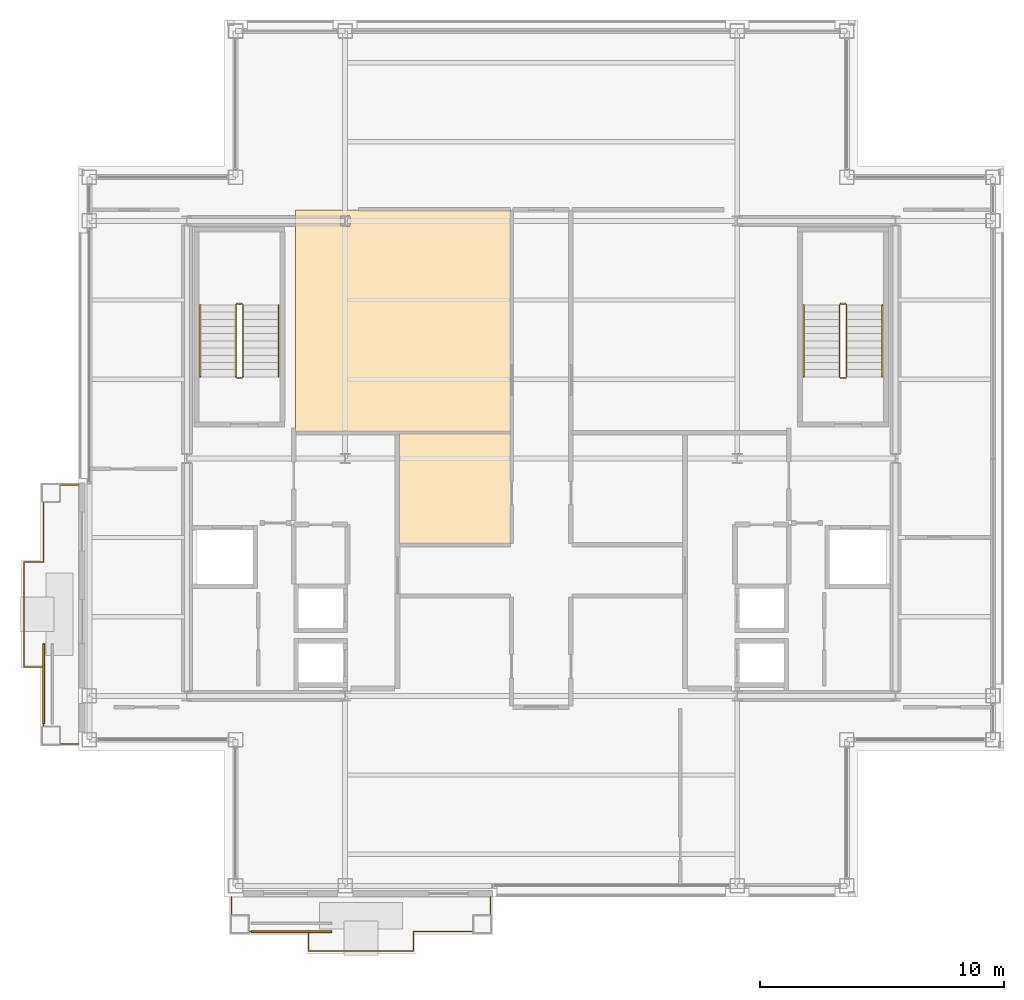
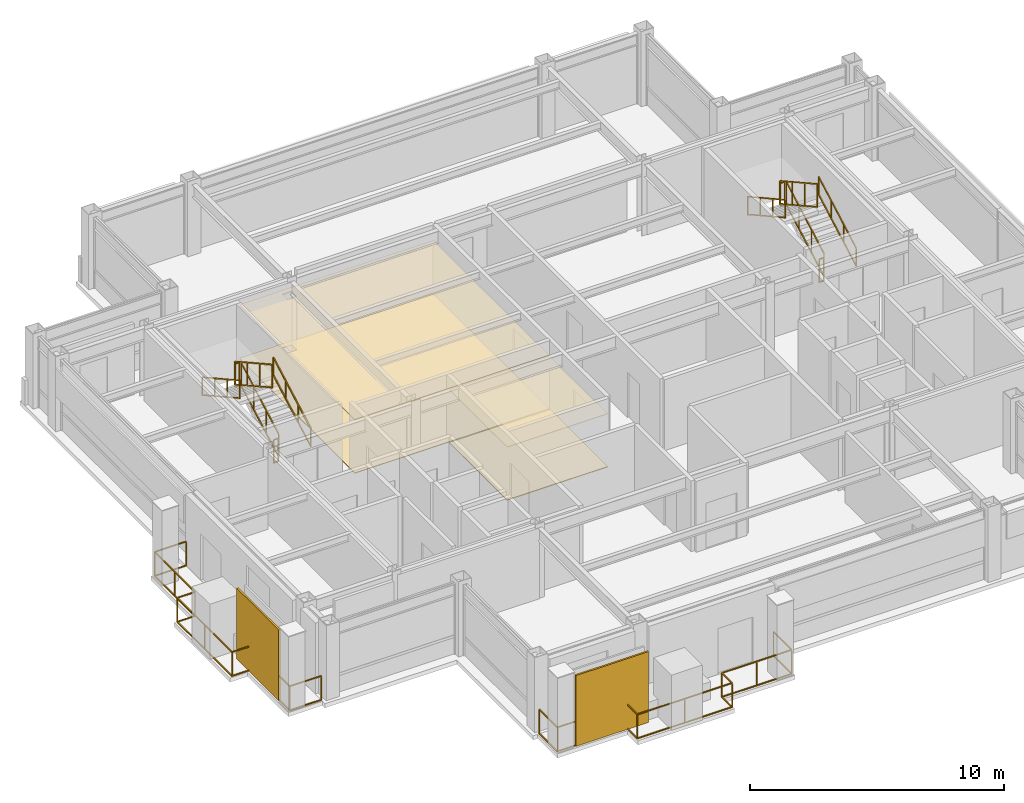
# One storey, part 26 of 27: 14 railings, 4 coverings, 2 shading devices.
"""IFC4 building model written with IfcOpenShell, lengths in metres."""

from ifc_helpers import new_model, si_unit, direction, frame, origin, origin_2d, place, context, subcontext, project, spatial, polyline, rectangle, outline, extrude, material, layer, layer_set, type_object, element, save


model = new_model("IFC4")

# Units and contexts
model_context = context("Model", 3, precision=1e-05, world=origin(), true_north=direction((0.0, 1.0)))
body_context = subcontext(model_context, "Body", "Model", "MODEL_VIEW")
ifc_project = project(units=[si_unit("LENGTHUNIT", "METRE"), si_unit("AREAUNIT", "SQUARE_METRE"), si_unit("VOLUMEUNIT", "CUBIC_METRE"), si_unit("PLANEANGLEUNIT", "RADIAN"), si_unit("MASSUNIT", "GRAM", prefix="KILO")], contexts=[model_context])

# Site, building, storey
site_placement = place(None, origin())
site = spatial("IfcSite", under=ifc_project, at=site_placement, CompositionType="ELEMENT")
building_placement = place(site_placement, origin())
building = spatial("IfcBuilding", under=site, at=building_placement, Name="Brelmoor Portico Tower", CompositionType="ELEMENT")
storey_placement = place(building_placement, frame((0.0, 0.0, 250.800048828125)))
storey = spatial("IfcBuildingStorey", under=building, at=storey_placement, Name="L66", CompositionType="ELEMENT", Elevation=250.800048828125)

# Coverings
ifc_material_1 = material(Name="Perforated Mineral-Fibre Acoustic Ceiling Tile", Category="gypsum")
ifc_layer_1 = layer(ifc_material_1, 0.02490234375)
ifc_layer_set_1 = layer_set([ifc_layer_1], Name="Perforated Mineral-Fibre Acoustic Ceiling Tile")
covering_type_1 = type_object("IfcCoveringType", Name="CV-CEIL-GYPSUM-25", PredefinedType="CEILING", material=ifc_layer_set_1)
covering_1_placement = place(storey_placement, frame((0.0, 0.0, 2.550048828125)))
element("IfcCovering", 1, at=covering_1_placement, inside=storey, type_object=covering_type_1, Name="L66 Acoustic Suspended Ceiling 02", PredefinedType="CEILING", context=body_context, shape_type="SweptSolid", body=[
    extrude(outline(polyline([(-5.820068359375, -3.510009765625), (-5.820068359375, 1.0400390625), (-1.239990234375, 1.0400390625), (-1.239990234375, -3.510009765625), (-5.820068359375, -3.510009765625)])), origin(), (0.0, 0.0, 1.0), 0.02490234375),
])
ifc_material_2 = material(Name="Slatted FSC Oak Acoustic Feature Ceiling", Category="timber")
ifc_layer_2 = layer(ifc_material_2, 0.052001953125)
ifc_layer_set_2 = layer_set([ifc_layer_2], Name="Slatted FSC Oak Acoustic Feature Ceiling")
covering_type_2 = type_object("IfcCoveringType", Name="CV-CEIL-TIMBER-52", PredefinedType="CEILING", material=ifc_layer_set_2)
covering_2_placement = place(storey_placement, frame((0.0, 0.0, 2.550048828125)))
element("IfcCovering", 2, at=covering_2_placement, inside=storey, type_object=covering_type_2, Name="L66 Acoustic Suspended Ceiling 01", PredefinedType="CEILING", context=body_context, shape_type="SweptSolid", body=[
    extrude(outline(polyline([(-10.080078125, 10.18994140625), (-8.5, 10.18994140625), (-8.5, 10.199951171875), (-7.60009765625, 10.199951171875), (-7.60009765625, 10.18994140625), (-1.239990234375, 10.18994140625), (-1.239990234375, 1.090087890625), (-10.080078125, 1.090087890625), (-10.080078125, 10.18994140625)]), holes=[polyline([(-7.85009765625, 9.550048828125), (-7.85009765625, 9.949951171875), (-8.25, 9.949951171875), (-8.25, 9.550048828125), (-7.85009765625, 9.550048828125)])]), origin(), (0.0, 0.0, 1.0), 0.052001953125),
])
ifc_material_3 = material(Name="Honed Pearl-Grey Granite Paver Finish", Category="masonry")
ifc_layer_3 = layer(ifc_material_3, 0.0380859375)
ifc_layer_set_3 = layer_set([ifc_layer_3], Name="Honed Pearl-Grey Granite Paver Finish")
covering_type_3 = type_object("IfcCoveringType", Name="CV-FLR-GRANITE-38", PredefinedType="FLOORING", material=ifc_layer_set_3)
covering_3_placement = place(storey_placement, origin())
element("IfcCovering", 3, at=covering_3_placement, inside=storey, type_object=covering_type_3, Name="L66 Architectural Floor Finish 02", PredefinedType="FLOORING", context=body_context, shape_type="SweptSolid", body=[
    extrude(outline(polyline([(-5.820068359375, -3.510009765625), (-5.820068359375, 1.0400390625), (-1.239990234375, 1.0400390625), (-1.239990234375, -3.510009765625), (-5.820068359375, -3.510009765625)])), origin(), (0.0, 0.0, 1.0), 0.037841796875),
])
ifc_material_4 = material(Name="Polished Pale-Aggregate Cementitious Terrazzo", Category="stone")
ifc_layer_4 = layer(ifc_material_4, 0.030029296875)
ifc_layer_set_4 = layer_set([ifc_layer_4], Name="Polished Pale-Aggregate Cementitious Terrazzo")
covering_type_4 = type_object("IfcCoveringType", Name="CV-FLR-TERRAZZO-30", PredefinedType="FLOORING", material=ifc_layer_set_4)
covering_4_placement = place(storey_placement, origin())
element("IfcCovering", 4, at=covering_4_placement, inside=storey, type_object=covering_type_4, Name="L66 Architectural Floor Finish 01", PredefinedType="FLOORING", context=body_context, shape_type="SweptSolid", body=[
    extrude(outline(polyline([(-10.080078125, 10.18994140625), (-8.5, 10.18994140625), (-8.5, 10.199951171875), (-7.60009765625, 10.199951171875), (-7.60009765625, 10.18994140625), (-1.239990234375, 10.18994140625), (-1.239990234375, 1.090087890625), (-10.080078125, 1.090087890625), (-10.080078125, 10.18994140625)]), holes=[polyline([(-7.85009765625, 9.550048828125), (-7.85009765625, 9.949951171875), (-8.25, 9.949951171875), (-8.25, 9.550048828125), (-7.85009765625, 9.550048828125)])]), origin(), (0.0, 0.0, 1.0), 0.030029296875),
])

# Railings
ifc_material_5 = material(Name="Perforated Pale Champagne Aluminium Fretwork Guard", Category="aluminium")
railing_type_1 = type_object("IfcRailingType", Name="RL-BALUSTRADE-1200", PredefinedType="BALUSTRADE", material=ifc_material_5)
railing_1_placement = place(storey_placement, frame((-12.719970703125, -18.0, 0.0)))
element("IfcRailing", 5, at=railing_1_placement, inside=storey, type_object=railing_type_1, Name="L66 Tree Balcony Fretwork Balustrade S", PredefinedType="BALUSTRADE", context=body_context, shape_type="SweptSolid", body=[
    extrude(rectangle(XDim=0.048095703125, YDim=0.048095703125, at=origin_2d()), frame((0.0, 0.0, 1.17578125), z_axis=(0.0, -1.0, 0.0), x_axis=(1.0, 0.0, 0.0)), (0.0, 0.0, 1.0), 1.429931640625),
    extrude(rectangle(XDim=0.048095703125, YDim=0.048095703125, at=origin_2d()), frame((0.0, 0.0, 0.02392578125), z_axis=(0.0, -1.0, 0.0), x_axis=(1.0, 0.0, 0.0)), (0.0, 0.0, 1.0), 1.429931640625),
    extrude(rectangle(XDim=0.048095703125, YDim=0.048095703125, at=origin_2d()), frame((0.0, -1.429931640625, 1.17578125), z_axis=(1.0, 0.0, 0.0), x_axis=(0.0, 1.0, 0.0)), (0.0, 0.0, 1.0), 3.169921875),
    extrude(rectangle(XDim=0.048095703125, YDim=0.048095703125, at=origin_2d()), frame((0.0, -1.429931640625, 0.02392578125), z_axis=(1.0, 0.0, 0.0), x_axis=(0.0, 1.0, 0.0)), (0.0, 0.0, 1.0), 3.169921875),
    extrude(rectangle(XDim=0.048095703125, YDim=0.048095703125, at=origin_2d()), frame((3.169921875, -1.429931640625, 1.17578125), z_axis=(0.0, -1.0, 0.0), x_axis=(1.0, 0.0, 0.0)), (0.0, 0.0, 1.0), 0.800048828125),
    extrude(rectangle(XDim=0.048095703125, YDim=0.048095703125, at=origin_2d()), frame((3.169921875, -1.429931640625, 0.02392578125), z_axis=(0.0, -1.0, 0.0), x_axis=(1.0, 0.0, 0.0)), (0.0, 0.0, 1.0), 0.800048828125),
    extrude(rectangle(XDim=0.048095703125, YDim=0.048095703125, at=origin_2d()), frame((3.169921875, -2.22998046875, 1.17578125), z_axis=(1.0, 0.0, 0.0), x_axis=(0.0, 1.0, 0.0)), (0.0, 0.0, 1.0), 4.300048828125),
    extrude(rectangle(XDim=0.048095703125, YDim=0.048095703125, at=origin_2d()), frame((3.169921875, -2.22998046875, 0.02392578125), z_axis=(1.0, 0.0, 0.0), x_axis=(0.0, 1.0, 0.0)), (0.0, 0.0, 1.0), 4.300048828125),
    extrude(rectangle(XDim=0.048095703125, YDim=0.048095703125, at=origin_2d()), frame((7.469970703125, -2.22998046875, 1.17578125), z_axis=(0.0, 1.0, 0.0), x_axis=(-1.0, 0.0, 0.0)), (0.0, 0.0, 1.0), 0.800048828125),
    extrude(rectangle(XDim=0.048095703125, YDim=0.048095703125, at=origin_2d()), frame((7.469970703125, -2.22998046875, 0.02392578125), z_axis=(0.0, 1.0, 0.0), x_axis=(-1.0, 0.0, 0.0)), (0.0, 0.0, 1.0), 0.800048828125),
    extrude(rectangle(XDim=0.048095703125, YDim=0.048095703125, at=origin_2d()), frame((7.469970703125, -1.429931640625, 1.17578125), z_axis=(1.0, 0.0, 0.0), x_axis=(0.0, 1.0, 0.0)), (0.0, 0.0, 1.0), 3.169921875),
    extrude(rectangle(XDim=0.048095703125, YDim=0.048095703125, at=origin_2d()), frame((7.469970703125, -1.429931640625, 0.02392578125), z_axis=(1.0, 0.0, 0.0), x_axis=(0.0, 1.0, 0.0)), (0.0, 0.0, 1.0), 3.169921875),
    extrude(rectangle(XDim=0.048095703125, YDim=0.048095703125, at=origin_2d()), frame((10.639892578125, -1.429931640625, 1.17578125), z_axis=(0.0, 1.0, 0.0), x_axis=(-1.0, 0.0, 0.0)), (0.0, 0.0, 1.0), 1.429931640625),
    extrude(rectangle(XDim=0.048095703125, YDim=0.048095703125, at=origin_2d()), frame((10.639892578125, -1.429931640625, 0.02392578125), z_axis=(0.0, 1.0, 0.0), x_axis=(-1.0, 0.0, 0.0)), (0.0, 0.0, 1.0), 1.429931640625),
    extrude(rectangle(XDim=0.0419921875, YDim=0.0419921875, at=origin_2d()), origin(), (0.0, 0.0, 1.0), 1.15185546875),
    extrude(rectangle(XDim=0.0419921875, YDim=0.0419921875, at=origin_2d()), frame((0.0, -1.429931640625, 0.0)), (0.0, 0.0, 1.0), 1.15185546875),
    extrude(rectangle(XDim=0.0419921875, YDim=0.0419921875, at=origin_2d()), frame((1.5849609375, -1.429931640625, 0.0)), (0.0, 0.0, 1.0), 1.15185546875),
    extrude(rectangle(XDim=0.0419921875, YDim=0.0419921875, at=origin_2d()), frame((3.169921875, -1.429931640625, 0.0)), (0.0, 0.0, 1.0), 1.15185546875),
    extrude(rectangle(XDim=0.0419921875, YDim=0.0419921875, at=origin_2d()), frame((3.169921875, -2.22998046875, 0.0)), (0.0, 0.0, 1.0), 1.15185546875),
    extrude(rectangle(XDim=0.0419921875, YDim=0.0419921875, at=origin_2d()), frame((5.31982421875, -2.22998046875, 0.0)), (0.0, 0.0, 1.0), 1.15185546875),
    extrude(rectangle(XDim=0.0419921875, YDim=0.0419921875, at=origin_2d()), frame((7.469970703125, -2.22998046875, 0.0)), (0.0, 0.0, 1.0), 1.15185546875),
    extrude(rectangle(XDim=0.0419921875, YDim=0.0419921875, at=origin_2d()), frame((7.469970703125, -1.429931640625, 0.0)), (0.0, 0.0, 1.0), 1.15185546875),
    extrude(rectangle(XDim=0.0419921875, YDim=0.0419921875, at=origin_2d()), frame((9.054931640625, -1.429931640625, 0.0)), (0.0, 0.0, 1.0), 1.15185546875),
    extrude(rectangle(XDim=0.0419921875, YDim=0.0419921875, at=origin_2d()), frame((10.639892578125, -1.429931640625, 0.0)), (0.0, 0.0, 1.0), 1.15185546875),
    extrude(rectangle(XDim=0.0419921875, YDim=0.0419921875, at=origin_2d()), frame((10.639892578125, 0.0, 0.0)), (0.0, 0.0, 1.0), 1.15185546875),
])
railing_2_placement = place(storey_placement, frame((-19.0, -11.719970703125, 0.0)))
element("IfcRailing", 6, at=railing_2_placement, inside=storey, type_object=railing_type_1, Name="L66 Tree Balcony Fretwork Balustrade W", PredefinedType="BALUSTRADE", context=body_context, shape_type="SweptSolid", body=[
    extrude(rectangle(XDim=0.048095703125, YDim=0.048095703125, at=origin_2d()), frame((0.0, 0.0, 1.17578125), z_axis=(-1.0, 0.0, 0.0), x_axis=(0.0, -1.0, 0.0)), (0.0, 0.0, 1.0), 1.429931640625),
    extrude(rectangle(XDim=0.048095703125, YDim=0.048095703125, at=origin_2d()), frame((0.0, 0.0, 0.02392578125), z_axis=(-1.0, 0.0, 0.0), x_axis=(0.0, -1.0, 0.0)), (0.0, 0.0, 1.0), 1.429931640625),
    extrude(rectangle(XDim=0.048095703125, YDim=0.048095703125, at=origin_2d()), frame((-1.429931640625, 0.0, 1.17578125), z_axis=(0.0, 1.0, 0.0), x_axis=(-1.0, 0.0, 0.0)), (0.0, 0.0, 1.0), 3.169921875),
    extrude(rectangle(XDim=0.048095703125, YDim=0.048095703125, at=origin_2d()), frame((-1.429931640625, 0.0, 0.02392578125), z_axis=(0.0, 1.0, 0.0), x_axis=(-1.0, 0.0, 0.0)), (0.0, 0.0, 1.0), 3.169921875),
    extrude(rectangle(XDim=0.048095703125, YDim=0.048095703125, at=origin_2d()), frame((-1.429931640625, 3.169921875, 1.17578125), z_axis=(-1.0, 0.0, 0.0), x_axis=(0.0, -1.0, 0.0)), (0.0, 0.0, 1.0), 0.800048828125),
    extrude(rectangle(XDim=0.048095703125, YDim=0.048095703125, at=origin_2d()), frame((-1.429931640625, 3.169921875, 0.02392578125), z_axis=(-1.0, 0.0, 0.0), x_axis=(0.0, -1.0, 0.0)), (0.0, 0.0, 1.0), 0.800048828125),
    extrude(rectangle(XDim=0.048095703125, YDim=0.048095703125, at=origin_2d()), frame((-2.22998046875, 3.169921875, 1.17578125), z_axis=(0.0, 1.0, 0.0), x_axis=(-1.0, 0.0, 0.0)), (0.0, 0.0, 1.0), 4.300048828125),
    extrude(rectangle(XDim=0.048095703125, YDim=0.048095703125, at=origin_2d()), frame((-2.22998046875, 3.169921875, 0.02392578125), z_axis=(0.0, 1.0, 0.0), x_axis=(-1.0, 0.0, 0.0)), (0.0, 0.0, 1.0), 4.300048828125),
    extrude(rectangle(XDim=0.048095703125, YDim=0.048095703125, at=origin_2d()), frame((-2.22998046875, 7.469970703125, 1.17578125), z_axis=(1.0, 0.0, 0.0), x_axis=(0.0, 1.0, 0.0)), (0.0, 0.0, 1.0), 0.800048828125),
    extrude(rectangle(XDim=0.048095703125, YDim=0.048095703125, at=origin_2d()), frame((-2.22998046875, 7.469970703125, 0.02392578125), z_axis=(1.0, 0.0, 0.0), x_axis=(0.0, 1.0, 0.0)), (0.0, 0.0, 1.0), 0.800048828125),
    extrude(rectangle(XDim=0.048095703125, YDim=0.048095703125, at=origin_2d()), frame((-1.429931640625, 7.469970703125, 1.17578125), z_axis=(0.0, 1.0, 0.0), x_axis=(-1.0, 0.0, 0.0)), (0.0, 0.0, 1.0), 3.169921875),
    extrude(rectangle(XDim=0.048095703125, YDim=0.048095703125, at=origin_2d()), frame((-1.429931640625, 7.469970703125, 0.02392578125), z_axis=(0.0, 1.0, 0.0), x_axis=(-1.0, 0.0, 0.0)), (0.0, 0.0, 1.0), 3.169921875),
    extrude(rectangle(XDim=0.048095703125, YDim=0.048095703125, at=origin_2d()), frame((-1.429931640625, 10.639892578125, 1.17578125), z_axis=(1.0, 0.0, 0.0), x_axis=(0.0, 1.0, 0.0)), (0.0, 0.0, 1.0), 1.429931640625),
    extrude(rectangle(XDim=0.048095703125, YDim=0.048095703125, at=origin_2d()), frame((-1.429931640625, 10.639892578125, 0.02392578125), z_axis=(1.0, 0.0, 0.0), x_axis=(0.0, 1.0, 0.0)), (0.0, 0.0, 1.0), 1.429931640625),
    extrude(rectangle(XDim=0.0419921875, YDim=0.0419921875, at=origin_2d()), origin(), (0.0, 0.0, 1.0), 1.15185546875),
    extrude(rectangle(XDim=0.0419921875, YDim=0.0419921875, at=origin_2d()), frame((-1.429931640625, 0.0, 0.0)), (0.0, 0.0, 1.0), 1.15185546875),
    extrude(rectangle(XDim=0.0419921875, YDim=0.0419921875, at=origin_2d()), frame((-1.429931640625, 1.5849609375, 0.0)), (0.0, 0.0, 1.0), 1.15185546875),
    extrude(rectangle(XDim=0.0419921875, YDim=0.0419921875, at=origin_2d()), frame((-1.429931640625, 3.169921875, 0.0)), (0.0, 0.0, 1.0), 1.15185546875),
    extrude(rectangle(XDim=0.0419921875, YDim=0.0419921875, at=origin_2d()), frame((-2.22998046875, 3.169921875, 0.0)), (0.0, 0.0, 1.0), 1.15185546875),
    extrude(rectangle(XDim=0.0419921875, YDim=0.0419921875, at=origin_2d()), frame((-2.22998046875, 5.31982421875, 0.0)), (0.0, 0.0, 1.0), 1.15185546875),
    extrude(rectangle(XDim=0.0419921875, YDim=0.0419921875, at=origin_2d()), frame((-2.22998046875, 7.469970703125, 0.0)), (0.0, 0.0, 1.0), 1.15185546875),
    extrude(rectangle(XDim=0.0419921875, YDim=0.0419921875, at=origin_2d()), frame((-1.429931640625, 7.469970703125, 0.0)), (0.0, 0.0, 1.0), 1.15185546875),
    extrude(rectangle(XDim=0.0419921875, YDim=0.0419921875, at=origin_2d()), frame((-1.429931640625, 9.054931640625, 0.0)), (0.0, 0.0, 1.0), 1.15185546875),
    extrude(rectangle(XDim=0.0419921875, YDim=0.0419921875, at=origin_2d()), frame((-1.429931640625, 10.639892578125, 0.0)), (0.0, 0.0, 1.0), 1.15185546875),
    extrude(rectangle(XDim=0.0419921875, YDim=0.0419921875, at=origin_2d()), frame((0.0, 10.639892578125, 0.0)), (0.0, 0.0, 1.0), 1.15185546875),
])
ifc_material_6 = material(Name="Painted Tubular Steel Q235B", Category="steel")
railing_type_2 = type_object("IfcRailingType", Name="RL-STAIR-GUARD", PredefinedType="GUARDRAIL", material=ifc_material_6)
railing_3_placement = place(storey_placement, frame((-12.239990234375, 3.35009765625, 0.16357421875)))
element("IfcRailing", 7, at=railing_3_placement, inside=storey, type_object=railing_type_2, Name="L66 ST-W stair guard 1", PredefinedType="GUARDRAIL", context=body_context, shape_type="SweptSolid", body=[
    extrude(rectangle(XDim=0.048095703125, YDim=0.048095703125, at=origin_2d()), frame((0.0, 0.0, 1.1259765625), z_axis=(0.0, 0.874457516365, 0.485102104791), x_axis=(-1.0, 0.0, 0.0)), (0.0, 0.0, 1.0), 3.37353515625),
    extrude(rectangle(XDim=0.048095703125, YDim=0.048095703125, at=origin_2d()), frame((0.0, 0.0, 0.02392578125), z_axis=(0.0, 0.874457516365, 0.485102104791), x_axis=(-1.0, 0.0, 0.0)), (0.0, 0.0, 1.0), 3.37353515625),
    extrude(rectangle(XDim=0.0419921875, YDim=0.0419921875, at=origin_2d()), origin(), (0.0, 0.0, 1.0), 1.101806640625),
    extrude(rectangle(XDim=0.0419921875, YDim=0.0419921875, at=origin_2d()), frame((0.0, 0.9833984375, 0.54541015625)), (0.0, 0.0, 1.0), 1.101806640625),
    extrude(rectangle(XDim=0.0419921875, YDim=0.0419921875, at=origin_2d()), frame((0.0, 1.966552734375, 1.091064453125)), (0.0, 0.0, 1.0), 1.101806640625),
    extrude(rectangle(XDim=0.0419921875, YDim=0.0419921875, at=origin_2d()), frame((0.0, 2.949951171875, 1.636474609375)), (0.0, 0.0, 1.0), 1.101806640625),
])
railing_4_placement = place(storey_placement, frame((-12.2900390625, 6.35009765625, 1.800048828125)))
element("IfcRailing", 8, at=railing_4_placement, inside=storey, type_object=railing_type_2, Name="L66 ST-W stair guard 2", PredefinedType="GUARDRAIL", context=body_context, shape_type="SweptSolid", body=[
    extrude(rectangle(XDim=0.048095703125, YDim=0.048095703125, at=origin_2d()), frame((0.0, 0.0, 1.1259765625), z_axis=(-1.0, 0.0, 0.0), x_axis=(0.0, -1.0, 0.0)), (0.0, 0.0, 1.0), 0.199951171875),
    extrude(rectangle(XDim=0.048095703125, YDim=0.048095703125, at=origin_2d()), frame((0.0, 0.0, 0.02392578125), z_axis=(-1.0, 0.0, 0.0), x_axis=(0.0, -1.0, 0.0)), (0.0, 0.0, 1.0), 0.199951171875),
    extrude(rectangle(XDim=0.0419921875, YDim=0.0419921875, at=origin_2d()), origin(), (0.0, 0.0, 1.0), 1.101806640625),
    extrude(rectangle(XDim=0.0419921875, YDim=0.0419921875, at=origin_2d()), frame((-0.199951171875, 0.0, 0.0)), (0.0, 0.0, 1.0), 1.101806640625),
])
railing_5_placement = place(storey_placement, frame((-12.5400390625, 6.300048828125, 1.963623046875)))
element("IfcRailing", 9, at=railing_5_placement, inside=storey, type_object=railing_type_2, Name="L66 ST-W stair guard 3", PredefinedType="GUARDRAIL", context=body_context, shape_type="SweptSolid", body=[
    extrude(rectangle(XDim=0.048095703125, YDim=0.048095703125, at=origin_2d()), frame((0.0, 0.0, 1.1259765625), z_axis=(0.0, -0.87448821551, 0.485046761595), x_axis=(1.0, 0.0, 0.0)), (0.0, 0.0, 1.0), 3.373291015625),
    extrude(rectangle(XDim=0.048095703125, YDim=0.048095703125, at=origin_2d()), frame((0.0, 0.0, 0.02392578125), z_axis=(0.0, -0.87448821551, 0.485046761595), x_axis=(1.0, 0.0, 0.0)), (0.0, 0.0, 1.0), 3.373291015625),
    extrude(rectangle(XDim=0.0419921875, YDim=0.0419921875, at=origin_2d()), origin(), (0.0, 0.0, 1.0), 1.101806640625),
    extrude(rectangle(XDim=0.0419921875, YDim=0.0419921875, at=origin_2d()), frame((0.0, -0.9833984375, 0.54541015625)), (0.0, 0.0, 1.0), 1.101806640625),
    extrude(rectangle(XDim=0.0419921875, YDim=0.0419921875, at=origin_2d()), frame((0.0, -1.966552734375, 1.0908203125)), (0.0, 0.0, 1.0), 1.101806640625),
    extrude(rectangle(XDim=0.0419921875, YDim=0.0419921875, at=origin_2d()), frame((0.0, -2.949951171875, 1.63623046875)), (0.0, 0.0, 1.0), 1.101806640625),
])
railing_6_placement = place(storey_placement, frame((-12.2900390625, 3.300048828125, 0.0)))
element("IfcRailing", 10, at=railing_6_placement, inside=storey, type_object=railing_type_2, Name="L66 ST-W stair guard 4", PredefinedType="GUARDRAIL", context=body_context, shape_type="SweptSolid", body=[
    extrude(rectangle(XDim=0.048095703125, YDim=0.048095703125, at=origin_2d()), frame((0.0, 0.0, 1.1259765625), z_axis=(-1.0, 0.0, 0.0), x_axis=(0.0, -1.0, 0.0)), (0.0, 0.0, 1.0), 0.199951171875),
    extrude(rectangle(XDim=0.048095703125, YDim=0.048095703125, at=origin_2d()), frame((0.0, 0.0, 0.02392578125), z_axis=(-1.0, 0.0, 0.0), x_axis=(0.0, -1.0, 0.0)), (0.0, 0.0, 1.0), 0.199951171875),
    extrude(rectangle(XDim=0.0419921875, YDim=0.0419921875, at=origin_2d()), origin(), (0.0, 0.0, 1.0), 1.101806640625),
    extrude(rectangle(XDim=0.0419921875, YDim=0.0419921875, at=origin_2d()), frame((-0.199951171875, 0.0, 0.0)), (0.0, 0.0, 1.0), 1.101806640625),
])
railing_7_placement = place(storey_placement, frame((12.5400390625, 3.35009765625, 0.16357421875)))
element("IfcRailing", 11, at=railing_7_placement, inside=storey, type_object=railing_type_2, Name="L66 ST-E stair guard 1", PredefinedType="GUARDRAIL", context=body_context, shape_type="SweptSolid", body=[
    extrude(rectangle(XDim=0.048095703125, YDim=0.048095703125, at=origin_2d()), frame((0.0, 0.0, 1.1259765625), z_axis=(0.0, 0.874457516365, 0.485102104791), x_axis=(-1.0, 0.0, 0.0)), (0.0, 0.0, 1.0), 3.37353515625),
    extrude(rectangle(XDim=0.048095703125, YDim=0.048095703125, at=origin_2d()), frame((0.0, 0.0, 0.02392578125), z_axis=(0.0, 0.874457516365, 0.485102104791), x_axis=(-1.0, 0.0, 0.0)), (0.0, 0.0, 1.0), 3.37353515625),
    extrude(rectangle(XDim=0.0419921875, YDim=0.0419921875, at=origin_2d()), origin(), (0.0, 0.0, 1.0), 1.101806640625),
    extrude(rectangle(XDim=0.0419921875, YDim=0.0419921875, at=origin_2d()), frame((0.0, 0.9833984375, 0.54541015625)), (0.0, 0.0, 1.0), 1.101806640625),
    extrude(rectangle(XDim=0.0419921875, YDim=0.0419921875, at=origin_2d()), frame((0.0, 1.966552734375, 1.091064453125)), (0.0, 0.0, 1.0), 1.101806640625),
    extrude(rectangle(XDim=0.0419921875, YDim=0.0419921875, at=origin_2d()), frame((0.0, 2.949951171875, 1.636474609375)), (0.0, 0.0, 1.0), 1.101806640625),
])
railing_8_placement = place(storey_placement, frame((12.489990234375, 6.35009765625, 1.800048828125)))
element("IfcRailing", 12, at=railing_8_placement, inside=storey, type_object=railing_type_2, Name="L66 ST-E stair guard 2", PredefinedType="GUARDRAIL", context=body_context, shape_type="SweptSolid", body=[
    extrude(rectangle(XDim=0.048095703125, YDim=0.048095703125, at=origin_2d()), frame((0.0, 0.0, 1.1259765625), z_axis=(-1.0, 0.0, 0.0), x_axis=(0.0, -1.0, 0.0)), (0.0, 0.0, 1.0), 0.199951171875),
    extrude(rectangle(XDim=0.048095703125, YDim=0.048095703125, at=origin_2d()), frame((0.0, 0.0, 0.02392578125), z_axis=(-1.0, 0.0, 0.0), x_axis=(0.0, -1.0, 0.0)), (0.0, 0.0, 1.0), 0.199951171875),
    extrude(rectangle(XDim=0.0419921875, YDim=0.0419921875, at=origin_2d()), origin(), (0.0, 0.0, 1.0), 1.101806640625),
    extrude(rectangle(XDim=0.0419921875, YDim=0.0419921875, at=origin_2d()), frame((-0.199951171875, 0.0, 0.0)), (0.0, 0.0, 1.0), 1.101806640625),
])
railing_9_placement = place(storey_placement, frame((12.239990234375, 6.300048828125, 1.963623046875)))
element("IfcRailing", 13, at=railing_9_placement, inside=storey, type_object=railing_type_2, Name="L66 ST-E stair guard 3", PredefinedType="GUARDRAIL", context=body_context, shape_type="SweptSolid", body=[
    extrude(rectangle(XDim=0.048095703125, YDim=0.048095703125, at=origin_2d()), frame((0.0, 0.0, 1.1259765625), z_axis=(0.0, -0.87448821551, 0.485046761595), x_axis=(1.0, 0.0, 0.0)), (0.0, 0.0, 1.0), 3.373291015625),
    extrude(rectangle(XDim=0.048095703125, YDim=0.048095703125, at=origin_2d()), frame((0.0, 0.0, 0.02392578125), z_axis=(0.0, -0.87448821551, 0.485046761595), x_axis=(1.0, 0.0, 0.0)), (0.0, 0.0, 1.0), 3.373291015625),
    extrude(rectangle(XDim=0.0419921875, YDim=0.0419921875, at=origin_2d()), origin(), (0.0, 0.0, 1.0), 1.101806640625),
    extrude(rectangle(XDim=0.0419921875, YDim=0.0419921875, at=origin_2d()), frame((0.0, -0.9833984375, 0.54541015625)), (0.0, 0.0, 1.0), 1.101806640625),
    extrude(rectangle(XDim=0.0419921875, YDim=0.0419921875, at=origin_2d()), frame((0.0, -1.966552734375, 1.0908203125)), (0.0, 0.0, 1.0), 1.101806640625),
    extrude(rectangle(XDim=0.0419921875, YDim=0.0419921875, at=origin_2d()), frame((0.0, -2.949951171875, 1.63623046875)), (0.0, 0.0, 1.0), 1.101806640625),
])
railing_10_placement = place(storey_placement, frame((12.489990234375, 3.300048828125, 0.0)))
element("IfcRailing", 14, at=railing_10_placement, inside=storey, type_object=railing_type_2, Name="L66 ST-E stair guard 4", PredefinedType="GUARDRAIL", context=body_context, shape_type="SweptSolid", body=[
    extrude(rectangle(XDim=0.048095703125, YDim=0.048095703125, at=origin_2d()), frame((0.0, 0.0, 1.1259765625), z_axis=(-1.0, 0.0, 0.0), x_axis=(0.0, -1.0, 0.0)), (0.0, 0.0, 1.0), 0.199951171875),
    extrude(rectangle(XDim=0.048095703125, YDim=0.048095703125, at=origin_2d()), frame((0.0, 0.0, 0.02392578125), z_axis=(-1.0, 0.0, 0.0), x_axis=(0.0, -1.0, 0.0)), (0.0, 0.0, 1.0), 0.199951171875),
    extrude(rectangle(XDim=0.0419921875, YDim=0.0419921875, at=origin_2d()), origin(), (0.0, 0.0, 1.0), 1.101806640625),
    extrude(rectangle(XDim=0.0419921875, YDim=0.0419921875, at=origin_2d()), frame((-0.199951171875, 0.0, 0.0)), (0.0, 0.0, 1.0), 1.101806640625),
])
ifc_material_7 = material(Name="Brushed Stainless Steel 304", Category="steel")
railing_type_3 = type_object("IfcRailingType", Name="RL-STAIR-HANDRAIL", PredefinedType="HANDRAIL", material=ifc_material_7)
railing_11_placement = place(storey_placement, frame((-10.780029296875, 3.35009765625, 0.16357421875)))
element("IfcRailing", 15, at=railing_11_placement, inside=storey, type_object=railing_type_3, Name="L66 ST-W stair handrail 1", PredefinedType="HANDRAIL", context=body_context, shape_type="SweptSolid", body=[
    extrude(rectangle(XDim=0.048095703125, YDim=0.048095703125, at=origin_2d()), frame((0.0, 0.0, 0.8759765625), z_axis=(0.0, 0.874457516365, 0.485102104791), x_axis=(-1.0, 0.0, 0.0)), (0.0, 0.0, 1.0), 3.37353515625),
    extrude(rectangle(XDim=0.048095703125, YDim=0.048095703125, at=origin_2d()), frame((0.0, 0.0, 0.02392578125), z_axis=(0.0, 0.874457516365, 0.485102104791), x_axis=(-1.0, 0.0, 0.0)), (0.0, 0.0, 1.0), 3.37353515625),
    extrude(rectangle(XDim=0.0419921875, YDim=0.0419921875, at=origin_2d()), origin(), (0.0, 0.0, 1.0), 0.851806640625),
    extrude(rectangle(XDim=0.0419921875, YDim=0.0419921875, at=origin_2d()), frame((0.0, 0.9833984375, 0.54541015625)), (0.0, 0.0, 1.0), 0.851806640625),
    extrude(rectangle(XDim=0.0419921875, YDim=0.0419921875, at=origin_2d()), frame((0.0, 1.966552734375, 1.091064453125)), (0.0, 0.0, 1.0), 0.851806640625),
    extrude(rectangle(XDim=0.0419921875, YDim=0.0419921875, at=origin_2d()), frame((0.0, 2.949951171875, 1.636474609375)), (0.0, 0.0, 1.0), 0.851806640625),
])
railing_12_placement = place(storey_placement, frame((-14.0, 6.300048828125, 1.963623046875)))
element("IfcRailing", 16, at=railing_12_placement, inside=storey, type_object=railing_type_3, Name="L66 ST-W stair handrail 2", PredefinedType="HANDRAIL", context=body_context, shape_type="SweptSolid", body=[
    extrude(rectangle(XDim=0.048095703125, YDim=0.048095703125, at=origin_2d()), frame((0.0, 0.0, 0.8759765625), z_axis=(0.0, -0.87448821551, 0.485046761595), x_axis=(1.0, 0.0, 0.0)), (0.0, 0.0, 1.0), 3.373291015625),
    extrude(rectangle(XDim=0.048095703125, YDim=0.048095703125, at=origin_2d()), frame((0.0, 0.0, 0.02392578125), z_axis=(0.0, -0.87448821551, 0.485046761595), x_axis=(1.0, 0.0, 0.0)), (0.0, 0.0, 1.0), 3.373291015625),
    extrude(rectangle(XDim=0.0419921875, YDim=0.0419921875, at=origin_2d()), origin(), (0.0, 0.0, 1.0), 0.851806640625),
    extrude(rectangle(XDim=0.0419921875, YDim=0.0419921875, at=origin_2d()), frame((0.0, -0.9833984375, 0.54541015625)), (0.0, 0.0, 1.0), 0.851806640625),
    extrude(rectangle(XDim=0.0419921875, YDim=0.0419921875, at=origin_2d()), frame((0.0, -1.966552734375, 1.0908203125)), (0.0, 0.0, 1.0), 0.851806640625),
    extrude(rectangle(XDim=0.0419921875, YDim=0.0419921875, at=origin_2d()), frame((0.0, -2.949951171875, 1.63623046875)), (0.0, 0.0, 1.0), 0.851806640625),
])
railing_13_placement = place(storey_placement, frame((14.0, 3.35009765625, 0.16357421875)))
element("IfcRailing", 17, at=railing_13_placement, inside=storey, type_object=railing_type_3, Name="L66 ST-E stair handrail 1", PredefinedType="HANDRAIL", context=body_context, shape_type="SweptSolid", body=[
    extrude(rectangle(XDim=0.048095703125, YDim=0.048095703125, at=origin_2d()), frame((0.0, 0.0, 0.8759765625), z_axis=(0.0, 0.874457516365, 0.485102104791), x_axis=(-1.0, 0.0, 0.0)), (0.0, 0.0, 1.0), 3.37353515625),
    extrude(rectangle(XDim=0.048095703125, YDim=0.048095703125, at=origin_2d()), frame((0.0, 0.0, 0.02392578125), z_axis=(0.0, 0.874457516365, 0.485102104791), x_axis=(-1.0, 0.0, 0.0)), (0.0, 0.0, 1.0), 3.37353515625),
    extrude(rectangle(XDim=0.0419921875, YDim=0.0419921875, at=origin_2d()), origin(), (0.0, 0.0, 1.0), 0.851806640625),
    extrude(rectangle(XDim=0.0419921875, YDim=0.0419921875, at=origin_2d()), frame((0.0, 0.9833984375, 0.54541015625)), (0.0, 0.0, 1.0), 0.851806640625),
    extrude(rectangle(XDim=0.0419921875, YDim=0.0419921875, at=origin_2d()), frame((0.0, 1.966552734375, 1.091064453125)), (0.0, 0.0, 1.0), 0.851806640625),
    extrude(rectangle(XDim=0.0419921875, YDim=0.0419921875, at=origin_2d()), frame((0.0, 2.949951171875, 1.636474609375)), (0.0, 0.0, 1.0), 0.851806640625),
])
railing_14_placement = place(storey_placement, frame((10.780029296875, 6.300048828125, 1.963623046875)))
element("IfcRailing", 18, at=railing_14_placement, inside=storey, type_object=railing_type_3, Name="L66 ST-E stair handrail 2", PredefinedType="HANDRAIL", context=body_context, shape_type="SweptSolid", body=[
    extrude(rectangle(XDim=0.048095703125, YDim=0.048095703125, at=origin_2d()), frame((0.0, 0.0, 0.8759765625), z_axis=(0.0, -0.87448821551, 0.485046761595), x_axis=(1.0, 0.0, 0.0)), (0.0, 0.0, 1.0), 3.373291015625),
    extrude(rectangle(XDim=0.048095703125, YDim=0.048095703125, at=origin_2d()), frame((0.0, 0.0, 0.02392578125), z_axis=(0.0, -0.87448821551, 0.485046761595), x_axis=(1.0, 0.0, 0.0)), (0.0, 0.0, 1.0), 3.373291015625),
    extrude(rectangle(XDim=0.0419921875, YDim=0.0419921875, at=origin_2d()), origin(), (0.0, 0.0, 1.0), 0.851806640625),
    extrude(rectangle(XDim=0.0419921875, YDim=0.0419921875, at=origin_2d()), frame((0.0, -0.9833984375, 0.54541015625)), (0.0, 0.0, 1.0), 0.851806640625),
    extrude(rectangle(XDim=0.0419921875, YDim=0.0419921875, at=origin_2d()), frame((0.0, -1.966552734375, 1.0908203125)), (0.0, 0.0, 1.0), 0.851806640625),
    extrude(rectangle(XDim=0.0419921875, YDim=0.0419921875, at=origin_2d()), frame((0.0, -2.949951171875, 1.63623046875)), (0.0, 0.0, 1.0), 0.851806640625),
])

# Shading devices
ifc_material_8 = material(Name="Powder-Coated Aluminium Shuttered Jalousie", Category="aluminium")
ifc_layer_5 = layer(ifc_material_8, 0.080078125)
ifc_layer_set_5 = layer_set([ifc_layer_5], Name="Powder-Coated Aluminium Shuttered Jalousie")
shading_device_type = type_object("IfcShadingDeviceType", Name="SD-JALOUSIE-LOGGIA", PredefinedType="JALOUSIE", material=ifc_layer_set_5)
for number, where, z_axis, x_axis, name in (
    (19, (-10.25, -19.429931640625, 0.0), (0.0, 0.0, 1.0), (1.0, 0.0, 0.0), "L66 Loggia Shuttered Jalousie S"),
    (20, (-20.429931640625, -9.25, 0.0), (0.0, 0.0, 1.0), (0.0, 1.0, 0.0), "L66 Loggia Shuttered Jalousie W"),
):
    element("IfcShadingDevice", number, at=place(storey_placement, frame(where, z_axis=z_axis, x_axis=x_axis)), inside=storey, type_object=shading_device_type, Name=name, PredefinedType="JALOUSIE", context=body_context, shape_type="SweptSolid", body=[
        extrude(rectangle(XDim=3.300048828125, YDim=0.080078125, at=origin_2d()), origin(), (0.0, 0.0, 1.0), 3.39990234375),
    ])

save(model, "model.ifc")
